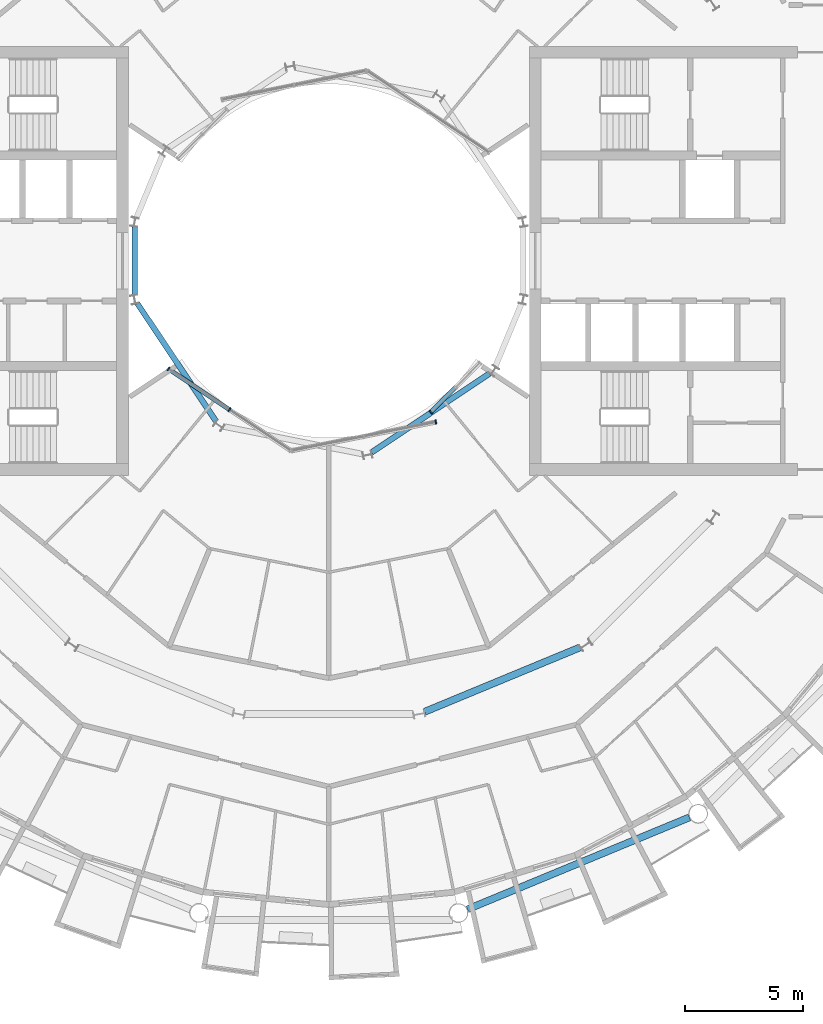
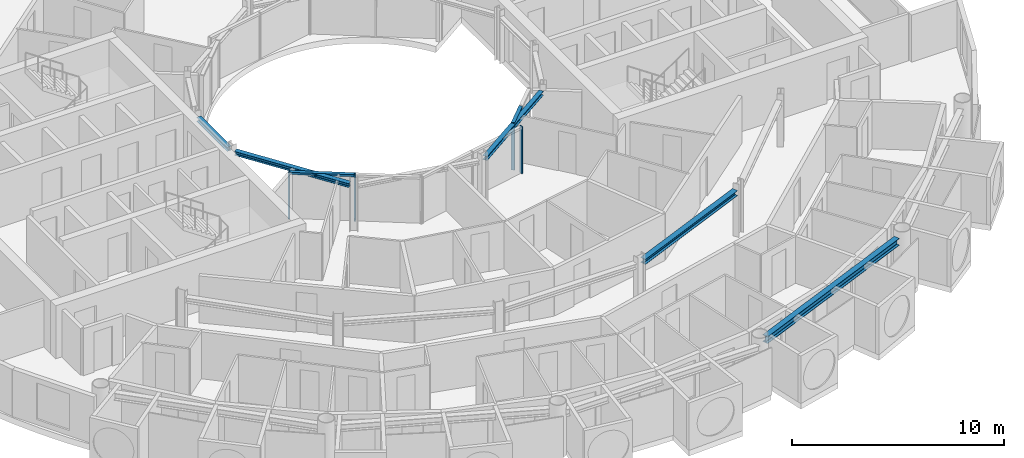
# One storey, part 6 of 26: 6 members, 5 beams, 3 elements without a shape of their own.
"""IFC4 building model written with IfcOpenShell, lengths in metres."""

from ifc_helpers import new_model, si_unit, direction, frame, origin, origin_2d, place, context, subcontext, project, spatial, rectangle, i_section, extrude, material, layer, layer_set, material_profile, profile_set, type_object, element, aggregate, save


model = new_model("IFC4")

# Units and contexts
model_context = context("Model", 3, precision=1e-05, world=origin(), true_north=direction((0.0, 1.0)))
body_context = subcontext(model_context, "Body", "Model", "MODEL_VIEW")
ifc_project = project(units=[si_unit("LENGTHUNIT", "METRE"), si_unit("AREAUNIT", "SQUARE_METRE"), si_unit("VOLUMEUNIT", "CUBIC_METRE"), si_unit("PLANEANGLEUNIT", "RADIAN"), si_unit("MASSUNIT", "GRAM", prefix="KILO")], contexts=[model_context])

# Site, building, storey
site_placement = place(None, origin())
site = spatial("IfcSite", under=ifc_project, at=site_placement, CompositionType="ELEMENT")
building_placement = place(site_placement, origin())
building = spatial("IfcBuilding", under=site, at=building_placement, Name="Maasbend Ring Residences", CompositionType="ELEMENT")
storey_placement = place(building_placement, frame((0.0, 0.0, 161.60009765625)))
storey = spatial("IfcBuildingStorey", under=building, at=storey_placement, Name="L46", CompositionType="ELEMENT", Elevation=161.60009765625)

# Curtain wall, members
ifc_material_1 = material(Name="Aluminium and clear glass", Category="aluminium")
ifc_layer = layer(ifc_material_1, 0.179931640625)
ifc_layer_set = layer_set([ifc_layer], Name="CW-W")
curtain_wall_type = type_object("IfcCurtainWallType", Name="CW-W", PredefinedType="NOTDEFINED", material=ifc_layer_set)
curtain_wall_1_placement = place(storey_placement, origin())
curtain_wall_1 = element("IfcCurtainWall", 1, at=curtain_wall_1_placement, inside=storey, type_object=curtain_wall_type, Name="Well curtain wall S1", PredefinedType="NOTDEFINED")
ifc_material_2 = material(Name="Aluminium 6063-T6", Category="aluminium")
ifc_material_profile_1 = material_profile(ifc_material_2, rectangle(XDim=0.179931640625, YDim=0.06005859375, at=origin_2d()), Name="AL 180x60")
ifc_profile_set_1 = profile_set([ifc_material_profile_1], Name="Aluminium 6063-T6")
member_type_1 = type_object("IfcMemberType", Name="CWM-W", PredefinedType="MULLION", material=ifc_profile_set_1)
member_1_placement = place(storey_placement, frame((-6.805908203125, -4.580810546875, 0.0), z_axis=(0.0, 0.0, 1.0), x_axis=(0.55557023302, 0.831469612303, 0.0)))
member_1 = element("IfcMember", 2, at=member_1_placement, type_object=member_type_1, Name="Mullion well face", PredefinedType="MULLION", context=body_context, shape_type="SweptSolid", body=[
    extrude(rectangle(XDim=0.179931640625, YDim=0.06005859375, at=origin_2d()), origin(), (0.0, 0.0, 1.0), 2.699951171875),
])
member_2_placement = place(storey_placement, frame((-4.216796875, -6.310791015625, 0.0), z_axis=(0.0, 0.0, 1.0), x_axis=(0.55557023302, 0.831469612303, 0.0)))
member_2 = element("IfcMember", 3, at=member_2_placement, type_object=member_type_1, Name="Mullion well face", PredefinedType="MULLION", context=body_context, shape_type="SweptSolid", body=[
    extrude(rectangle(XDim=0.179931640625, YDim=0.06005859375, at=origin_2d()), origin(), (0.0, 0.0, 1.0), 2.699951171875),
])

# Curtain wall, member
curtain_wall_2_placement = place(storey_placement, origin())
curtain_wall_2 = element("IfcCurtainWall", 4, at=curtain_wall_2_placement, inside=storey, type_object=curtain_wall_type, Name="Well curtain wall S2", PredefinedType="NOTDEFINED")
member_3_placement = place(storey_placement, frame((4.53466796875, -6.836669921875, 0.0), z_axis=(0.0, 0.0, 1.0), x_axis=(-0.195090322016, 0.980785280403, 0.0)))
member_3 = element("IfcMember", 5, at=member_3_placement, type_object=member_type_1, Name="Mullion well face", PredefinedType="MULLION", context=body_context, shape_type="SweptSolid", body=[
    extrude(rectangle(XDim=0.179931640625, YDim=0.06005859375, at=origin_2d()), origin(), (0.0, 0.0, 1.0), 2.699951171875),
])
aggregate(curtain_wall_2, [member_3])

curtain_wall_3_placement = place(storey_placement, origin())
curtain_wall_3 = element("IfcCurtainWall", 6, at=curtain_wall_3_placement, inside=storey, type_object=curtain_wall_type, Name="Well curtain wall S3", PredefinedType="NOTDEFINED")
member_4_placement = place(storey_placement, frame((4.320556640625, -6.413330078125, 0.0), z_axis=(0.0, 0.0, 1.0), x_axis=(-0.707106781187, 0.707106781187, 0.0)))
member_4 = element("IfcMember", 7, at=member_4_placement, type_object=member_type_1, Name="Mullion well face", PredefinedType="MULLION", context=body_context, shape_type="SweptSolid", body=[
    extrude(rectangle(XDim=0.179931640625, YDim=0.06005859375, at=origin_2d()), origin(), (0.0, 0.0, 1.0), 2.699951171875),
])

# Member
ifc_material_3 = material(Name="Aluminium 6063-T6", Category="aluminium")
ifc_material_profile_2 = material_profile(ifc_material_3, rectangle(XDim=0.179931640625, YDim=0.1201171875, at=origin_2d()), Name="AL 180x120")
ifc_profile_set_2 = profile_set([ifc_material_profile_2], Name="Aluminium 6063-T6")
member_type_2 = type_object("IfcMemberType", Name="CWT-W", PredefinedType="USERDEFINED", material=ifc_profile_set_2)
member_5_placement = place(storey_placement, frame((-6.781005859375, -4.59765625, 2.639892578125), z_axis=(0.831496422459, -0.555530106689, 0.0), x_axis=(0.555530106689, 0.831496422459, 0.0)))
member_5 = element("IfcMember", 8, at=member_5_placement, type_object=member_type_2, Name="Transom well face", ObjectType="TRANSOM", PredefinedType="USERDEFINED", context=body_context, shape_type="SweptSolid", body=[
    extrude(rectangle(XDim=0.179931640625, YDim=0.1201171875, at=origin_2d()), origin(), (0.0, 0.0, 1.0), 3.053955078125),
])

aggregate(curtain_wall_1, [member_1, member_2, member_5])

member_6_placement = place(storey_placement, frame((4.341796875, -6.39208984375, 2.639892578125), z_axis=(0.707106781187, 0.707106781187, 0.0), x_axis=(-0.707106781187, 0.707106781187, 0.0)))
member_6 = element("IfcMember", 9, at=member_6_placement, type_object=member_type_2, Name="Transom well face", ObjectType="TRANSOM", PredefinedType="USERDEFINED", context=body_context, shape_type="SweptSolid", body=[
    extrude(rectangle(XDim=0.179931640625, YDim=0.1201171875, at=origin_2d()), origin(), (0.0, 0.0, 1.0), 1.419677734375),
])

aggregate(curtain_wall_3, [member_4, member_6])

# Beams
ifc_material_4 = material(Name="Steel S355J2", Category="steel")
ifc_material_profile_3 = material_profile(ifc_material_4, i_section(OverallWidth=0.300048828125, OverallDepth=0.2900390625, WebThickness=0.008544921875, FlangeThickness=0.013916015625, FilletRadius=0.027099609375, at=origin_2d()), Name="HEA 300")
ifc_profile_set_3 = profile_set([ifc_material_profile_3], Name="Steel S355J2")
beam_type_1 = type_object("IfcBeamType", Name="Corridor ring beam HEA 300", PredefinedType="BEAM", material=ifc_profile_set_3)
beam_1_placement = place(storey_placement, frame((4.059326171875, -19.1259765625, 2.554931640625), z_axis=(0.923871339849, 0.382703210602, 0.0), x_axis=(-0.382703210602, 0.923871339849, 0.0)))
element("IfcBeam", 10, at=beam_1_placement, inside=storey, type_object=beam_type_1, Name="Corridor ring beam", PredefinedType="BEAM", context=body_context, shape_type="SweptSolid", body=[
    extrude(i_section(OverallWidth=0.300048828125, OverallDepth=0.2900390625, WebThickness=0.008544921875, FlangeThickness=0.013916015625, FilletRadius=0.027099609375, at=origin_2d()), origin(), (0.0, 0.0, 1.0), 7.137939453125),
])
ifc_material_5 = material(Name="Steel S355J2", Category="steel")
ifc_material_profile_4 = material_profile(ifc_material_5, i_section(OverallWidth=0.300048828125, OverallDepth=0.39990234375, WebThickness=0.013427734375, FlangeThickness=0.02392578125, FilletRadius=0.027099609375, at=origin_2d()), Name="HEB 400")
ifc_profile_set_4 = profile_set([ifc_material_profile_4], Name="Steel S355J2")
beam_type_2 = type_object("IfcBeamType", Name="Spandrel ring beam HEB 400", PredefinedType="SPANDREL", material=ifc_profile_set_4)
beam_2_placement = place(storey_placement, frame((5.877197265625, -27.50244140625, 2.5), z_axis=(0.923883676188, 0.382673428492, 0.0), x_axis=(-0.382673428492, 0.923883676188, 0.0)))
element("IfcBeam", 11, at=beam_2_placement, inside=storey, type_object=beam_type_2, Name="Spandrel ring beam", PredefinedType="SPANDREL", context=body_context, shape_type="SweptSolid", body=[
    extrude(i_section(OverallWidth=0.300048828125, OverallDepth=0.39990234375, WebThickness=0.013427734375, FlangeThickness=0.02392578125, FilletRadius=0.027099609375, at=origin_2d()), origin(), (0.0, 0.0, 1.0), 10.18994140625),
])
ifc_material_6 = material(Name="Steel S355J2", Category="steel")
ifc_material_profile_5 = material_profile(ifc_material_6, i_section(OverallWidth=0.239990234375, OverallDepth=0.22998046875, WebThickness=0.007568359375, FlangeThickness=0.011962890625, FilletRadius=0.02099609375, at=origin_2d()), Name="HEA 240")
ifc_profile_set_5 = profile_set([ifc_material_profile_5], Name="Steel S355J2")
beam_type_3 = type_object("IfcBeamType", Name="Well edge beam HEA 240", PredefinedType="BEAM", material=ifc_profile_set_5)
beam_3_placement = place(storey_placement, frame((-8.238525390625, 1.43994140625, 2.5849609375), z_axis=(0.0, -1.0, 0.0), x_axis=(1.0, 0.0, 0.0)))
element("IfcBeam", 12, at=beam_3_placement, inside=storey, type_object=beam_type_3, Name="Well edge beam", PredefinedType="BEAM", context=body_context, shape_type="SweptSolid", body=[
    extrude(i_section(OverallWidth=0.239990234375, OverallDepth=0.22998046875, WebThickness=0.007568359375, FlangeThickness=0.011962890625, FilletRadius=0.02099609375, at=origin_2d()), origin(), (0.0, 0.0, 1.0), 2.8798828125),
])
for number, where, z_axis, x_axis, name in (
    (13, (-8.121337890625, -1.814208984375, 2.5849609375), (0.555553413909, -0.831480850227, 0.0), (0.831480850227, 0.555553413909, 0.0), "Well edge beam"),
    (14, (1.814208984375, -8.121337890625, 2.5849609375), (0.831480850227, 0.555553413909, 0.0), (-0.555553413909, 0.831480850227, 0.0), "Well edge beam"),
):
    element("IfcBeam", number, at=place(storey_placement, frame(where, z_axis=z_axis, x_axis=x_axis)), inside=storey, type_object=beam_type_3, Name=name, PredefinedType="BEAM", context=body_context, shape_type="SweptSolid", body=[
        extrude(i_section(OverallWidth=0.239990234375, OverallDepth=0.22998046875, WebThickness=0.007568359375, FlangeThickness=0.011962890625, FilletRadius=0.02099609375, at=origin_2d()), origin(), (0.0, 0.0, 1.0), 6.0068359375),
    ])

save(model, "model.ifc")
